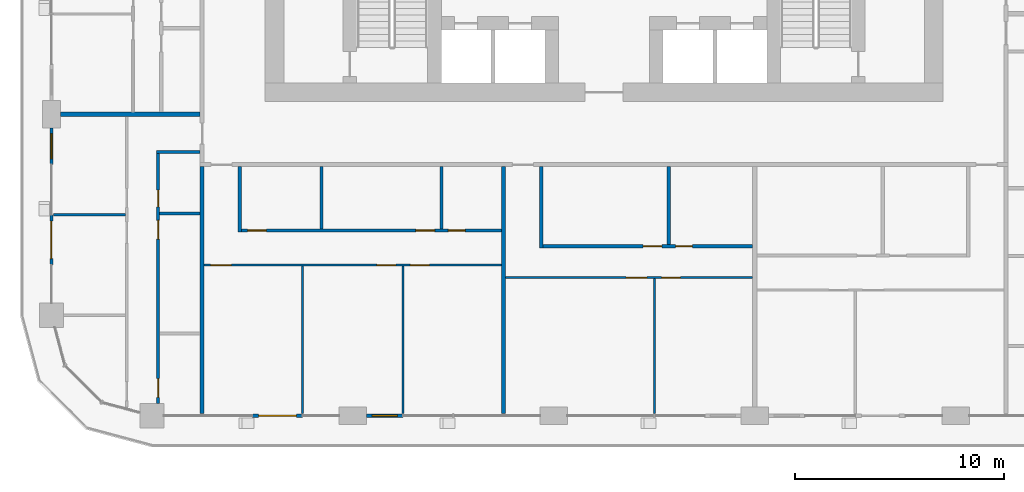
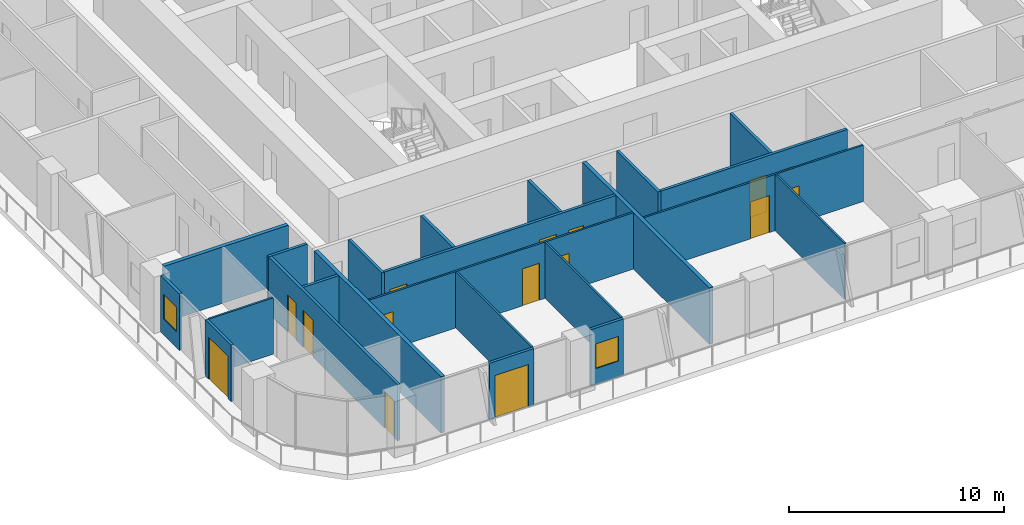
# One storey, part 9 of 22: 23 walls, 15 doors, 2 windows, 17 openings.
"""IFC4 building model written with IfcOpenShell, lengths in metres."""

import ifcopenshell
import ifcopenshell.guid

model = None  # the IFC model being written
_history = None  # IfcOwnerHistory: only IFC2X3 demands one
_inside = {}  # id of a spatial element -> (the spatial element, [elements in it])
_under = {}  # id of a project, library or spatial element -> (it, [spatial elements below it])
_declared = {}  # id of a project -> (the project, [libraries it declares])
_typed = {}  # id of a type object -> (the type object, [elements of that type])
_made_of = {}  # id of a material, layer set ... -> (it, [elements and type objects made of it])


def new_model(schema):
    """Start an empty IFC model of exactly this schema.

    Asked for "IFC4X3", IfcOpenShell would pick the latest addendum, in which some entities
    have other attributes; the version numbers below select the first issue.
    IFC2X3 requires an IfcOwnerHistory on every rooted entity: one is made here for all.
    """
    global model, _history
    if schema == "IFC4X3":
        model = ifcopenshell.file(schema_version=(4, 3, 0, 0))
    else:
        model = ifcopenshell.file(schema=schema)
    _inside.clear()
    _under.clear()
    _declared.clear()
    _typed.clear()
    _made_of.clear()
    _history = None
    if model.schema == "IFC2X3":
        org = make("IfcOrganization", Name="unknown")
        user = make(
            "IfcPersonAndOrganization",
            ThePerson=make("IfcPerson", FamilyName="unknown"),
            TheOrganization=org,
        )
        app = make(
            "IfcApplication",
            ApplicationDeveloper=org,
            Version="unknown",
            ApplicationFullName="unknown",
            ApplicationIdentifier="unknown",
        )
        _history = make(
            "IfcOwnerHistory",
            OwningUser=user,
            OwningApplication=app,
            ChangeAction="ADDED",
            CreationDate=0,
        )
    return model


def make(cls, **values):
    """One entity of the class cls with the attributes given. An attribute that is None is left unset."""
    return model.create_entity(
        cls, **{name: value for name, value in values.items() if value is not None}
    )


def rooted(cls, **values):
    """An entity with a GlobalId (a new one), such as an element, a storey or a relation."""
    return make(cls, GlobalId=ifcopenshell.guid.new(), OwnerHistory=_history, **values)


def si_unit(unit_type, name, prefix=None):
    """IfcSIUnit, for example si_unit("LENGTHUNIT", "METRE", prefix="MILLI")."""
    return make("IfcSIUnit", UnitType=unit_type, Prefix=prefix, Name=name)


def assignment(units):
    """IfcUnitAssignment: the units of a project."""
    return None if units is None else make("IfcUnitAssignment", Units=units)


def point(xyz):
    """IfcCartesianPoint."""
    return None if xyz is None else make("IfcCartesianPoint", Coordinates=xyz)


def direction(xyz):
    """IfcDirection."""
    return None if xyz is None else make("IfcDirection", DirectionRatios=xyz)


def frame(location, z_axis=None, x_axis=None):
    """IfcAxis2Placement3D, a coordinate frame: its origin and axes. An axis left out is left unset."""
    return make(
        "IfcAxis2Placement3D",
        Location=point(location),
        Axis=direction(z_axis),
        RefDirection=direction(x_axis),
    )


def frame_2d(location, x_axis=None):
    """IfcAxis2Placement2D, a coordinate frame in the plane: its origin and x axis."""
    return make(
        "IfcAxis2Placement2D", Location=point(location), RefDirection=direction(x_axis)
    )


def origin():
    """The frame at (0, 0, 0) with its axes left unset."""
    return frame((0.0, 0.0, 0.0))


def place(relative_to, where):
    """IfcLocalPlacement: puts the frame where relative to a parent placement (None: the world)."""
    return make(
        "IfcLocalPlacement", PlacementRelTo=relative_to, RelativePlacement=where
    )


def context(
    kind, dimensions, precision=None, world=None, true_north=None, identifier=None
):
    """IfcGeometricRepresentationContext, for example the 3D "Model" context."""
    return make(
        "IfcGeometricRepresentationContext",
        ContextIdentifier=identifier,
        ContextType=kind,
        CoordinateSpaceDimension=dimensions,
        Precision=precision,
        WorldCoordinateSystem=world,
        TrueNorth=true_north,
    )


def subcontext(parent, identifier, kind, view, scale=None):
    """IfcGeometricRepresentationSubContext, for example "Body" below "Model"."""
    return make(
        "IfcGeometricRepresentationSubContext",
        ContextIdentifier=identifier,
        ContextType=kind,
        ParentContext=parent,
        TargetScale=scale,
        TargetView=view,
    )


def project(units=None, contexts=None):
    """IfcProject with its units and contexts."""
    return rooted(
        "IfcProject",
        Name="project",
        RepresentationContexts=contexts,
        UnitsInContext=assignment(units),
    )


def spatial(cls, under=None, at=None, **own):
    """A site, building, storey or space (cls), placed at a placement, below another one or the project."""
    s = rooted(cls, ObjectPlacement=at, **own)
    if under is not None:
        _under.setdefault(under.id(), (under, []))[1].append(s)
    return s


def profile(cls, at=None, kind="AREA", **sizes):
    """A parametric profile (cls). Its sizes go by their IFC names, for example OverallWidth=200.0."""
    return make(cls, ProfileType=kind, Position=at, **sizes)


def rectangle(**sizes):
    """IfcRectangleProfileDef."""
    return profile("IfcRectangleProfileDef", **sizes)


def extrude(swept, where, along, depth):
    """IfcExtrudedAreaSolid: the profile swept, set in the frame where, extruded along a direction by depth."""
    return make(
        "IfcExtrudedAreaSolid",
        SweptArea=swept,
        Position=where,
        ExtrudedDirection=direction(along),
        Depth=depth,
    )


def shape(context_of_items, identifier, shape_type, items):
    """IfcShapeRepresentation: the items that make up one representation, for example the "Body"."""
    return make(
        "IfcShapeRepresentation",
        ContextOfItems=context_of_items,
        RepresentationIdentifier=identifier,
        RepresentationType=shape_type,
        Items=items,
    )


def material(Name=None, Category=None):
    """IfcMaterial."""
    return make("IfcMaterial", Name=Name, Category=Category)


def layer(
    of_material, thickness, ventilated=None, Name=None, Category=None, Priority=None
):
    """IfcMaterialLayer: one layer of a wall or slab, of a material (None: an air gap)."""
    return make(
        "IfcMaterialLayer",
        Material=of_material,
        LayerThickness=thickness,
        IsVentilated=ventilated,
        Name=Name,
        Category=Category,
        Priority=Priority,
    )


def layer_set(layers, Name=None):
    """IfcMaterialLayerSet."""
    return make("IfcMaterialLayerSet", MaterialLayers=layers, LayerSetName=Name)


def made_of(thing, what):
    """Note that an element or type object is made of a material, layer set ...; save() writes the relation."""
    if what is not None:
        _made_of.setdefault(what.id(), (what, []))[1].append(thing)
    return thing


def type_object(cls, material=None, **own):
    """A type object (cls), such as IfcWallType, which elements share."""
    return made_of(rooted(cls, **own), material)


def element(
    cls,
    number,
    at=None,
    inside=None,
    cuts=None,
    type_object=None,
    material=None,
    context=None,
    identifier="Body",
    shape_type=None,
    held_by="IfcProductDefinitionShape",
    body=None,
    shapes=None,
    **own,
):
    """One element of the class cls, such as IfcWall. Its Tag is "e" and its number.

    at: its placement. inside: the storey or other place that contains it. cuts: it is an
    opening in that element (IfcRelVoidsElement). A single representation is given by context,
    identifier, shape_type and body (its items); several are given by shapes. held_by: the class
    of the entity that holds the representations. save() writes the other relations.
    """
    e = rooted(cls, Tag="e%d" % number, ObjectPlacement=at, **own)
    if body is not None:
        shapes = [shape(context, identifier, shape_type, body)]
    if shapes is not None:
        e.Representation = make(held_by, Representations=shapes)
    if inside is not None:
        _inside.setdefault(inside.id(), (inside, []))[1].append(e)
    if cuts is not None:
        rooted(
            "IfcRelVoidsElement", RelatingBuildingElement=cuts, RelatedOpeningElement=e
        )
    if type_object is not None:
        _typed.setdefault(type_object.id(), (type_object, []))[1].append(e)
    return made_of(e, material)


def fill(opening, filler):
    """IfcRelFillsElement: the door or window that sits in an opening."""
    return rooted(
        "IfcRelFillsElement",
        RelatingOpeningElement=opening,
        RelatedBuildingElement=filler,
    )


def aggregate(whole, parts):
    """IfcRelAggregates: a whole, such as a stair, and the parts it consists of."""
    return rooted("IfcRelAggregates", RelatingObject=whole, RelatedObjects=parts)


def save(model, path):
    """Write the relations noted so far, then the file.

    IfcRelAggregates (storeys below a building ...), IfcRelContainedInSpatialStructure (elements
    in a storey), IfcRelDefinesByType, IfcRelAssociatesMaterial and IfcRelDeclares: one each for
    every whole, place, type object, material and project.
    """
    for whole, parts in _under.values():
        aggregate(whole, parts)
    for where, things in _inside.values():
        rooted(
            "IfcRelContainedInSpatialStructure",
            RelatedElements=things,
            RelatingStructure=where,
        )
    for kind, things in _typed.values():
        rooted("IfcRelDefinesByType", RelatedObjects=things, RelatingType=kind)
    for what, things in _made_of.values():
        rooted("IfcRelAssociatesMaterial", RelatedObjects=things, RelatingMaterial=what)
    for by, libraries in _declared.values():
        rooted("IfcRelDeclares", RelatingContext=by, RelatedDefinitions=libraries)
    model.write(path)


model = new_model("IFC4")

# Units and contexts
model_context = context("Model", 3, precision=1e-05, world=origin(), true_north=direction((0.0, 1.0)))
body_context = subcontext(model_context, "Body", "Model", "MODEL_VIEW")
ifc_project = project(units=[si_unit("LENGTHUNIT", "METRE"), si_unit("AREAUNIT", "SQUARE_METRE"), si_unit("VOLUMEUNIT", "CUBIC_METRE"), si_unit("PLANEANGLEUNIT", "RADIAN"), si_unit("MASSUNIT", "GRAM", prefix="KILO")], contexts=[model_context])

# Site, building, storey
site_placement = place(None, origin())
site = spatial("IfcSite", under=ifc_project, at=site_placement, CompositionType="ELEMENT")
building_placement = place(site_placement, origin())
building = spatial("IfcBuilding", under=site, at=building_placement, Name="Madar Terraces", CompositionType="ELEMENT")
storey_placement = place(building_placement, frame((0.0, 0.0, 69.800048828125)))
storey = spatial("IfcBuildingStorey", under=building, at=storey_placement, Name="L17", CompositionType="ELEMENT", Elevation=69.800048828125)

# Wall, opening, door
ifc_material_1 = material(Name="Aluminium composite panel, black, over insulated backing", Category="aluminium")
ifc_layer_1 = layer(ifc_material_1, 0.14990234375)
ifc_layer_set_1 = layer_set([ifc_layer_1], Name="Facade bay panel 150")
wall_type_1 = type_object("IfcWallType", Name="Facade bay panel 150", PredefinedType="SOLIDWALL", material=ifc_layer_set_1)
wall_1_placement = place(storey_placement, frame((14.39990234375, 0.0, 0.0), z_axis=(0.0, 0.0, 1.0), x_axis=(1.0, 0.0, 0.0)))
wall_1 = element("IfcWall", 1, at=wall_1_placement, inside=storey, type_object=wall_type_1, Name="Facade bay panel", PredefinedType="SOLIDWALL", context=body_context, shape_type="SweptSolid", body=[
    extrude(rectangle(XDim=2.400146484375, YDim=0.14990234375, at=frame_2d((1.2001953125, 0.0))), origin(), (0.0, 0.0, 1.0), 3.199951171875),
])
opening_1_placement = place(wall_1_placement, frame((0.300048828125, 0.0, 0.0)))
opening_1 = element("IfcOpeningElement", 2, at=opening_1_placement, cuts=wall_1, Name="Opening ED1", PredefinedType="OPENING", context=body_context, shape_type="SweptSolid", body=[
    extrude(rectangle(XDim=1.800048828125, YDim=2.39990234375, at=frame_2d((0.89990234375, 1.199951171875))), frame((0.0, 0.0849609375, 0.0), z_axis=(0.0, -1.0, 0.0), x_axis=(1.0, 0.0, 0.0)), (0.0, 0.0, 1.0), 0.169921875),
])
ifc_material_2 = material(Name="Glass, clear, with black aluminium frame", Category="aluminium")
door_type_1 = type_object("IfcDoorType", Name="Balcony and terrace sliding door 1800 x 2400", OperationType="SLIDING_TO_LEFT", PredefinedType="DOOR", material=ifc_material_2)
door_1_placement = place(opening_1_placement, origin())
door_1 = element("IfcDoor", 3, at=door_1_placement, inside=storey, type_object=door_type_1, Name="Balcony door", OperationType="SLIDING_TO_LEFT", OverallHeight=2.39990234375, OverallWidth=1.800048828125, PredefinedType="DOOR", context=body_context, shape_type="SweptSolid", body=[
    extrude(rectangle(XDim=1.800048828125, YDim=2.39990234375, at=frame_2d((0.89990234375, 1.199951171875))), frame((0.0, 0.02490234375, 0.0), z_axis=(0.0, -1.0, 0.0), x_axis=(1.0, 0.0, 0.0)), (0.0, 0.0, 1.0), 0.050048828125),
])
fill(opening_1, door_1)

# Wall, opening, window
wall_2_placement = place(storey_placement, frame((19.85009765625, 0.0, 0.0), z_axis=(0.0, 0.0, 1.0), x_axis=(1.0, 0.0, 0.0)))
wall_2 = element("IfcWall", 4, at=wall_2_placement, inside=storey, type_object=wall_type_1, Name="Facade bay panel", PredefinedType="SOLIDWALL", context=body_context, shape_type="SweptSolid", body=[
    extrude(rectangle(XDim=1.75, YDim=0.14990234375, at=frame_2d((0.875, 0.0))), origin(), (0.0, 0.0, 1.0), 3.199951171875),
])
opening_2_placement = place(wall_2_placement, frame((0.27490234375, 0.0, 0.89990234375)))
opening_2 = element("IfcOpeningElement", 5, at=opening_2_placement, cuts=wall_2, Name="Opening W1", PredefinedType="OPENING", context=body_context, shape_type="SweptSolid", body=[
    extrude(rectangle(XDim=1.199951171875, YDim=1.39990234375, at=frame_2d((0.60009765625, 0.699951171875))), frame((0.0, 0.0849609375, 0.0), z_axis=(0.0, -1.0, 0.0), x_axis=(1.0, 0.0, 0.0)), (0.0, 0.0, 1.0), 0.169921875),
])
ifc_material_3 = material(Name="Glass, clear, with black aluminium frame", Category="aluminium")
window_type = type_object("IfcWindowType", Name="Vent window 1200 x 1400", PartitioningType="SINGLE_PANEL", PredefinedType="WINDOW", material=ifc_material_3)
window_1_placement = place(opening_2_placement, origin())
window_1 = element("IfcWindow", 6, at=window_1_placement, inside=storey, type_object=window_type, Name="Operable vent window", OverallHeight=1.39990234375, OverallWidth=1.199951171875, PartitioningType="SINGLE_PANEL", PredefinedType="WINDOW", context=body_context, shape_type="SweptSolid", body=[
    extrude(rectangle(XDim=1.199951171875, YDim=1.39990234375, at=frame_2d((0.60009765625, 0.699951171875))), frame((0.0, 0.030029296875, 0.0), z_axis=(0.0, -1.0, 0.0), x_axis=(1.0, 0.0, 0.0)), (0.0, 0.0, 1.0), 0.06005859375),
])
fill(opening_2, window_1)

wall_3_placement = place(storey_placement, frame((4.800048828125, 13.75, 0.0), z_axis=(0.0, 0.0, 1.0), x_axis=(0.0, -1.0, 0.0)))
wall_3 = element("IfcWall", 7, at=wall_3_placement, inside=storey, type_object=wall_type_1, Name="Facade bay panel", PredefinedType="SOLIDWALL", context=body_context, shape_type="SweptSolid", body=[
    extrude(rectangle(XDim=1.75, YDim=0.14990234375, at=frame_2d((0.875, 0.0))), origin(), (0.0, 0.0, 1.0), 3.199951171875),
])
opening_3_placement = place(wall_3_placement, frame((0.27490234375, 0.0, 0.89990234375)))
opening_3 = element("IfcOpeningElement", 8, at=opening_3_placement, cuts=wall_3, Name="Opening W1", PredefinedType="OPENING", context=body_context, shape_type="SweptSolid", body=[
    extrude(rectangle(XDim=1.199951171875, YDim=1.39990234375, at=frame_2d((0.60009765625, 0.699951171875))), frame((0.0, 0.0849609375, 0.0), z_axis=(0.0, -1.0, 0.0), x_axis=(1.0, 0.0, 0.0)), (0.0, 0.0, 1.0), 0.169921875),
])
window_2_placement = place(opening_3_placement, origin())
window_2 = element("IfcWindow", 9, at=window_2_placement, inside=storey, type_object=window_type, Name="Operable vent window", OverallHeight=1.39990234375, OverallWidth=1.199951171875, PartitioningType="SINGLE_PANEL", PredefinedType="WINDOW", context=body_context, shape_type="SweptSolid", body=[
    extrude(rectangle(XDim=1.199951171875, YDim=1.39990234375, at=frame_2d((0.60009765625, 0.699951171875))), frame((0.0, 0.030029296875, 0.0), z_axis=(0.0, -1.0, 0.0), x_axis=(1.0, 0.0, 0.0)), (0.0, 0.0, 1.0), 0.06005859375),
])
fill(opening_3, window_2)

# Wall, opening, door
wall_4_placement = place(storey_placement, frame((4.800048828125, 9.60009765625, 0.0), z_axis=(0.0, 0.0, 1.0), x_axis=(0.0, -1.0, 0.0)))
wall_4 = element("IfcWall", 10, at=wall_4_placement, inside=storey, type_object=wall_type_1, Name="Facade bay panel", PredefinedType="SOLIDWALL", context=body_context, shape_type="SweptSolid", body=[
    extrude(rectangle(XDim=2.400146484375, YDim=0.14990234375, at=frame_2d((1.2001953125, 0.0))), origin(), (0.0, 0.0, 1.0), 3.199951171875),
])
opening_4_placement = place(wall_4_placement, frame((0.300048828125, 0.0, 0.0)))
opening_4 = element("IfcOpeningElement", 11, at=opening_4_placement, cuts=wall_4, Name="Opening ED1", PredefinedType="OPENING", context=body_context, shape_type="SweptSolid", body=[
    extrude(rectangle(XDim=1.800048828125, YDim=2.39990234375, at=frame_2d((0.89990234375, 1.199951171875))), frame((0.0, 0.0849609375, 0.0), z_axis=(0.0, -1.0, 0.0), x_axis=(1.0, 0.0, 0.0)), (0.0, 0.0, 1.0), 0.169921875),
])
door_2_placement = place(opening_4_placement, origin())
door_2 = element("IfcDoor", 12, at=door_2_placement, inside=storey, type_object=door_type_1, Name="Balcony door", OperationType="SLIDING_TO_LEFT", OverallHeight=2.39990234375, OverallWidth=1.800048828125, PredefinedType="DOOR", context=body_context, shape_type="SweptSolid", body=[
    extrude(rectangle(XDim=1.800048828125, YDim=2.39990234375, at=frame_2d((0.89990234375, 1.199951171875))), frame((0.0, 0.02490234375, 0.0), z_axis=(0.0, -1.0, 0.0), x_axis=(1.0, 0.0, 0.0)), (0.0, 0.0, 1.0), 0.050048828125),
])
fill(opening_4, door_2)

# Walls
ifc_material_4 = material(Name="Gypsum board on steel studs", Category="steel")
ifc_layer_2 = layer(ifc_material_4, 0.10009765625)
ifc_layer_set_2 = layer_set([ifc_layer_2], Name="Flat partition 100")
wall_type_2 = type_object("IfcWallType", Name="Flat partition 100", PredefinedType="PARTITIONING", material=ifc_layer_set_2)
for number, where, z_axis, x_axis, name in (
    (13, (16.800048828125, 7.14990234375, 0.0), (0.0, 0.0, 1.0), (0.0, -1.0, 0.0), "Flat partition 100"),
    (14, (21.60009765625, 7.14990234375, 0.0), (0.0, 0.0, 1.0), (0.0, -1.0, 0.0), "Flat partition 100"),
):
    element("IfcWall", number, at=place(storey_placement, frame(where, z_axis=z_axis, x_axis=x_axis)), inside=storey, type_object=wall_type_2, Name=name, PredefinedType="PARTITIONING", context=body_context, shape_type="SweptSolid", body=[
        extrude(rectangle(XDim=7.0498046875, YDim=0.10009765625, at=frame_2d((3.52490234375, 0.0))), origin(), (0.0, 0.0, 1.0), 3.199951171875),
    ])

# Wall, openings, doors
wall_5_placement = place(storey_placement, frame((26.300048828125, 7.199951171875, 0.0), z_axis=(0.0, 0.0, 1.0), x_axis=(-1.0, 0.0, 0.0)))
wall_5 = element("IfcWall", 15, at=wall_5_placement, inside=storey, type_object=wall_type_2, Name="Flat partition 100", PredefinedType="PARTITIONING", context=body_context, shape_type="SweptSolid", body=[
    extrude(rectangle(XDim=14.199951171875, YDim=0.10009765625, at=frame_2d((7.10009765625, 0.0))), origin(), (0.0, 0.0, 1.0), 3.199951171875),
])
opening_5_placement = place(wall_5_placement, frame((12.89990234375, 0.0, 0.0)))
opening_5 = element("IfcOpeningElement", 16, at=opening_5_placement, cuts=wall_5, Name="Opening D3", PredefinedType="OPENING", context=body_context, shape_type="SweptSolid", body=[
    extrude(rectangle(XDim=1.0, YDim=2.10009765625, at=frame_2d((0.5, 1.050048828125))), frame((0.0, 0.06005859375, 0.0), z_axis=(0.0, -1.0, 0.0), x_axis=(1.0, 0.0, 0.0)), (0.0, 0.0, 1.0), 0.1201171875),
])
opening_6_placement = place(wall_5_placement, frame((5.050048828125, 0.0, 0.0)))
opening_6 = element("IfcOpeningElement", 17, at=opening_6_placement, cuts=wall_5, Name="Opening D2", PredefinedType="OPENING", context=body_context, shape_type="SweptSolid", body=[
    extrude(rectangle(XDim=0.89990234375, YDim=2.10009765625, at=frame_2d((0.449951171875, 1.050048828125))), frame((0.0, 0.06005859375, 0.0), z_axis=(0.0, -1.0, 0.0), x_axis=(1.0, 0.0, 0.0)), (0.0, 0.0, 1.0), 0.1201171875),
])
opening_7_placement = place(wall_5_placement, frame((3.449951171875, 0.0, 0.0)))
opening_7 = element("IfcOpeningElement", 18, at=opening_7_placement, cuts=wall_5, Name="Opening D2", PredefinedType="OPENING", context=body_context, shape_type="SweptSolid", body=[
    extrude(rectangle(XDim=0.89990234375, YDim=2.10009765625, at=frame_2d((0.449951171875, 1.050048828125))), frame((0.0, 0.06005859375, 0.0), z_axis=(0.0, -1.0, 0.0), x_axis=(1.0, 0.0, 0.0)), (0.0, 0.0, 1.0), 0.1201171875),
])
ifc_material_5 = material(Name="Timber door leaf", Category="wood")
door_type_2 = type_object("IfcDoorType", Name="Flat living room door 1000", OperationType="NOTDEFINED", PredefinedType="DOOR", material=ifc_material_5)
door_3_placement = place(opening_5_placement, origin())
door_3 = element("IfcDoor", 19, at=door_3_placement, inside=storey, type_object=door_type_2, Name="Flat living room door 1000", OperationType="SINGLE_SWING_RIGHT", OverallHeight=2.10009765625, OverallWidth=1.0, PredefinedType="DOOR", context=body_context, shape_type="SweptSolid", body=[
    extrude(rectangle(XDim=1.0, YDim=2.10009765625, at=frame_2d((0.5, 1.050048828125))), frame((0.0, 0.02490234375, 0.0), z_axis=(0.0, -1.0, 0.0), x_axis=(1.0, 0.0, 0.0)), (0.0, 0.0, 1.0), 0.050048828125),
])
fill(opening_5, door_3)
ifc_material_6 = material(Name="Timber door leaf", Category="wood")
door_type_3 = type_object("IfcDoorType", Name="Flat room door 900", OperationType="NOTDEFINED", PredefinedType="DOOR", material=ifc_material_6)
door_4_placement = place(opening_6_placement, origin())
door_4 = element("IfcDoor", 20, at=door_4_placement, inside=storey, type_object=door_type_3, Name="Flat room door 900", OperationType="SINGLE_SWING_LEFT", OverallHeight=2.10009765625, OverallWidth=0.89990234375, PredefinedType="DOOR", context=body_context, shape_type="SweptSolid", body=[
    extrude(rectangle(XDim=0.89990234375, YDim=2.10009765625, at=frame_2d((0.449951171875, 1.050048828125))), frame((0.0, 0.02490234375, 0.0), z_axis=(0.0, -1.0, 0.0), x_axis=(1.0, 0.0, 0.0)), (0.0, 0.0, 1.0), 0.050048828125),
])
fill(opening_6, door_4)
door_5_placement = place(opening_7_placement, origin())
door_5 = element("IfcDoor", 21, at=door_5_placement, inside=storey, type_object=door_type_3, Name="Flat room door 900", OperationType="SINGLE_SWING_RIGHT", OverallHeight=2.10009765625, OverallWidth=0.89990234375, PredefinedType="DOOR", context=body_context, shape_type="SweptSolid", body=[
    extrude(rectangle(XDim=0.89990234375, YDim=2.10009765625, at=frame_2d((0.449951171875, 1.050048828125))), frame((0.0, 0.02490234375, 0.0), z_axis=(0.0, -1.0, 0.0), x_axis=(1.0, 0.0, 0.0)), (0.0, 0.0, 1.0), 0.050048828125),
])
fill(opening_7, door_5)

# Wall
wall_6_placement = place(storey_placement, frame((33.60009765625, 6.550048828125, 0.0), z_axis=(0.0, 0.0, 1.0), x_axis=(0.0, -1.0, 0.0)))
element("IfcWall", 22, at=wall_6_placement, inside=storey, type_object=wall_type_2, Name="Flat partition 100", PredefinedType="PARTITIONING", context=body_context, shape_type="SweptSolid", body=[
    extrude(rectangle(XDim=6.449951171875, YDim=0.10009765625, at=frame_2d((3.22509765625, 0.0))), origin(), (0.0, 0.0, 1.0), 3.199951171875),
])

# Wall, openings, doors
wall_7_placement = place(storey_placement, frame((38.300048828125, 6.60009765625, 0.0), z_axis=(0.0, 0.0, 1.0), x_axis=(-1.0, 0.0, 0.0)))
wall_7 = element("IfcWall", 23, at=wall_7_placement, inside=storey, type_object=wall_type_2, Name="Flat partition 100", PredefinedType="PARTITIONING", context=body_context, shape_type="SweptSolid", body=[
    extrude(rectangle(XDim=11.800048828125, YDim=0.10009765625, at=frame_2d((5.89990234375, 0.0))), origin(), (0.0, 0.0, 1.0), 3.199951171875),
])
opening_8_placement = place(wall_7_placement, frame((5.050048828125, 0.0, 0.0)))
opening_8 = element("IfcOpeningElement", 24, at=opening_8_placement, cuts=wall_7, Name="Opening D3", PredefinedType="OPENING", context=body_context, shape_type="SweptSolid", body=[
    extrude(rectangle(XDim=1.0, YDim=2.10009765625, at=frame_2d((0.5, 1.050048828125))), frame((0.0, 0.06005859375, 0.0), z_axis=(0.0, -1.0, 0.0), x_axis=(1.0, 0.0, 0.0)), (0.0, 0.0, 1.0), 0.1201171875),
])
opening_9_placement = place(wall_7_placement, frame((3.449951171875, 0.0, 0.0)))
opening_9 = element("IfcOpeningElement", 25, at=opening_9_placement, cuts=wall_7, Name="Opening D2", PredefinedType="OPENING", context=body_context, shape_type="SweptSolid", body=[
    extrude(rectangle(XDim=0.89990234375, YDim=2.10009765625, at=frame_2d((0.449951171875, 1.050048828125))), frame((0.0, 0.06005859375, 0.0), z_axis=(0.0, -1.0, 0.0), x_axis=(1.0, 0.0, 0.0)), (0.0, 0.0, 1.0), 0.1201171875),
])
door_6_placement = place(opening_8_placement, origin())
door_6 = element("IfcDoor", 26, at=door_6_placement, inside=storey, type_object=door_type_2, Name="Flat living room door 1000", OperationType="SINGLE_SWING_LEFT", OverallHeight=2.10009765625, OverallWidth=1.0, PredefinedType="DOOR", context=body_context, shape_type="SweptSolid", body=[
    extrude(rectangle(XDim=1.0, YDim=2.10009765625, at=frame_2d((0.5, 1.050048828125))), frame((0.0, 0.02490234375, 0.0), z_axis=(0.0, -1.0, 0.0), x_axis=(1.0, 0.0, 0.0)), (0.0, 0.0, 1.0), 0.050048828125),
])
fill(opening_8, door_6)
door_7_placement = place(opening_9_placement, origin())
door_7 = element("IfcDoor", 27, at=door_7_placement, inside=storey, type_object=door_type_3, Name="Flat room door 900", OperationType="SINGLE_SWING_RIGHT", OverallHeight=2.10009765625, OverallWidth=0.89990234375, PredefinedType="DOOR", context=body_context, shape_type="SweptSolid", body=[
    extrude(rectangle(XDim=0.89990234375, YDim=2.10009765625, at=frame_2d((0.449951171875, 1.050048828125))), frame((0.0, 0.02490234375, 0.0), z_axis=(0.0, -1.0, 0.0), x_axis=(1.0, 0.0, 0.0)), (0.0, 0.0, 1.0), 0.050048828125),
])
fill(opening_9, door_7)

# Walls
wall_8_placement = place(storey_placement, frame((8.35009765625, 9.60009765625, 0.0), z_axis=(0.0, 0.0, 1.0), x_axis=(-1.0, 0.0, 0.0)))
element("IfcWall", 28, at=wall_8_placement, inside=storey, type_object=wall_type_2, Name="Flat partition 100", PredefinedType="PARTITIONING", context=body_context, shape_type="SweptSolid", body=[
    extrude(rectangle(XDim=3.4501953125, YDim=0.10009765625, at=frame_2d((1.72509765625, 0.0))), origin(), (0.0, 0.0, 1.0), 3.199951171875),
])
ifc_material_7 = material(Name="Lightweight blockwork", Category="masonry")
ifc_layer_3 = layer(ifc_material_7, 0.199951171875)
ifc_layer_set_3 = layer_set([ifc_layer_3], Name="Flat party and entrance wall 200")
wall_type_3 = type_object("IfcWallType", Name="Flat party and entrance wall 200", PredefinedType="PARTITIONING", material=ifc_layer_set_3)
for number, where, z_axis, x_axis, name in (
    (29, (26.39990234375, 11.89990234375, 0.0), (0.0, 0.0, 1.0), (0.0, -1.0, 0.0), "Flat party and entrance wall 200"),
    (30, (12.0, 0.10009765625, 0.0), (0.0, 0.0, 1.0), (0.0, 1.0, 0.0), "Flat party and entrance wall 200"),
):
    element("IfcWall", number, at=place(storey_placement, frame(where, z_axis=z_axis, x_axis=x_axis)), inside=storey, type_object=wall_type_3, Name=name, PredefinedType="PARTITIONING", context=body_context, shape_type="SweptSolid", body=[
        extrude(rectangle(XDim=11.7998046875, YDim=0.199951171875, at=frame_2d((5.89990234375, 0.0))), origin(), (0.0, 0.0, 1.0), 3.199951171875),
    ])
wall_9_placement = place(storey_placement, frame((5.22509765625, 14.39990234375, 0.0), z_axis=(0.0, 0.0, 1.0), x_axis=(1.0, 0.0, 0.0)))
element("IfcWall", 31, at=wall_9_placement, inside=storey, type_object=wall_type_3, Name="Flat party and entrance wall 200", PredefinedType="PARTITIONING", context=body_context, shape_type="SweptSolid", body=[
    extrude(rectangle(XDim=6.6748046875, YDim=0.199951171875, at=frame_2d((3.33740234375, 0.0))), origin(), (0.0, 0.0, 1.0), 3.199951171875),
])
ifc_material_8 = material(Name="Lightweight blockwork", Category="masonry")
ifc_layer_4 = layer(ifc_material_8, 0.14990234375)
ifc_layer_set_4 = layer_set([ifc_layer_4], Name="Flat wet-room partition 150")
wall_type_4 = type_object("IfcWallType", Name="Flat wet-room partition 150", PredefinedType="PARTITIONING", material=ifc_layer_set_4)
for number, where, z_axis, x_axis, name in (
    (32, (17.697998046875, 11.89990234375, 0.0), (0.0, 0.0, 1.0), (0.0, -1.0, 0.0), "Flat wet-room partition 150"),
    (33, (23.4326171875, 11.89990234375, 0.0), (0.0, 0.0, 1.0), (0.0, -1.0, 0.0), "Flat wet-room partition 150"),
):
    element("IfcWall", number, at=place(storey_placement, frame(where, z_axis=z_axis, x_axis=x_axis)), inside=storey, type_object=wall_type_4, Name=name, PredefinedType="PARTITIONING", context=body_context, shape_type="SweptSolid", body=[
        extrude(rectangle(XDim=2.974853515625, YDim=0.14990234375, at=frame_2d((1.4873046875, 0.0))), origin(), (0.0, 0.0, 1.0), 3.199951171875),
    ])
wall_10_placement = place(storey_placement, frame((13.800048828125, 11.89990234375, 0.0), z_axis=(0.0, 0.0, 1.0), x_axis=(0.0, -1.0, 0.0)))
element("IfcWall", 34, at=wall_10_placement, inside=storey, type_object=wall_type_4, Name="Flat wet-room partition 150", PredefinedType="PARTITIONING", context=body_context, shape_type="SweptSolid", body=[
    extrude(rectangle(XDim=3.125, YDim=0.14990234375, at=frame_2d((1.5625, 0.0))), origin(), (0.0, 0.0, 1.0), 3.199951171875),
])

# Wall, openings, doors
wall_11_placement = place(storey_placement, frame((13.875, 8.85009765625, 0.0), z_axis=(0.0, 0.0, 1.0), x_axis=(1.0, 0.0, 0.0)))
wall_11 = element("IfcWall", 35, at=wall_11_placement, inside=storey, type_object=wall_type_4, Name="Flat wet-room partition 150", PredefinedType="PARTITIONING", context=body_context, shape_type="SweptSolid", body=[
    extrude(rectangle(XDim=12.425048828125, YDim=0.14990234375, at=frame_2d((6.21240234375, 0.0))), origin(), (0.0, 0.0, 1.0), 3.199951171875),
])
opening_10_placement = place(wall_11_placement, frame((0.300048828125, 0.0, 0.0)))
opening_10 = element("IfcOpeningElement", 36, at=opening_10_placement, cuts=wall_11, Name="Opening D5", PredefinedType="OPENING", context=body_context, shape_type="SweptSolid", body=[
    extrude(rectangle(XDim=0.89990234375, YDim=2.10009765625, at=frame_2d((0.449951171875, 1.050048828125))), frame((0.0, 0.0849609375, 0.0), z_axis=(0.0, -1.0, 0.0), x_axis=(1.0, 0.0, 0.0)), (0.0, 0.0, 1.0), 0.169921875),
])
opening_11_placement = place(wall_11_placement, frame((8.332763671875, 0.0, 0.0)))
opening_11 = element("IfcOpeningElement", 37, at=opening_11_placement, cuts=wall_11, Name="Opening D2", PredefinedType="OPENING", context=body_context, shape_type="SweptSolid", body=[
    extrude(rectangle(XDim=0.89990234375, YDim=2.10009765625, at=frame_2d((0.449951171875, 1.050048828125))), frame((0.0, 0.0849609375, 0.0), z_axis=(0.0, -1.0, 0.0), x_axis=(1.0, 0.0, 0.0)), (0.0, 0.0, 1.0), 0.169921875),
])
opening_12_placement = place(wall_11_placement, frame((9.8828125, 0.0, 0.0)))
opening_12 = element("IfcOpeningElement", 38, at=opening_12_placement, cuts=wall_11, Name="Opening D4", PredefinedType="OPENING", context=body_context, shape_type="SweptSolid", body=[
    extrude(rectangle(XDim=0.800048828125, YDim=2.10009765625, at=frame_2d((0.39990234375, 1.050048828125))), frame((0.0, 0.0849609375, 0.0), z_axis=(0.0, -1.0, 0.0), x_axis=(1.0, 0.0, 0.0)), (0.0, 0.0, 1.0), 0.169921875),
])
ifc_material_9 = material(Name="Timber door leaf", Category="wood")
door_type_4 = type_object("IfcDoorType", Name="Flat accessible bathroom door 900", OperationType="NOTDEFINED", PredefinedType="DOOR", material=ifc_material_9)
door_8_placement = place(opening_10_placement, origin())
door_8 = element("IfcDoor", 39, at=door_8_placement, inside=storey, type_object=door_type_4, Name="Flat accessible bathroom door 900", OperationType="SINGLE_SWING_LEFT", OverallHeight=2.10009765625, OverallWidth=0.89990234375, PredefinedType="DOOR", context=body_context, shape_type="SweptSolid", body=[
    extrude(rectangle(XDim=0.89990234375, YDim=2.10009765625, at=frame_2d((0.449951171875, 1.050048828125))), frame((0.0, 0.02490234375, 0.0), z_axis=(0.0, -1.0, 0.0), x_axis=(1.0, 0.0, 0.0)), (0.0, 0.0, 1.0), 0.050048828125),
])
fill(opening_10, door_8)
ifc_material_10 = material(Name="Timber door leaf", Category="wood")
door_type_5 = type_object("IfcDoorType", Name="Flat bathroom door 800", OperationType="NOTDEFINED", PredefinedType="DOOR", material=ifc_material_10)
door_9_placement = place(opening_12_placement, origin())
door_9 = element("IfcDoor", 40, at=door_9_placement, inside=storey, type_object=door_type_5, Name="Flat bathroom door 800", OperationType="SINGLE_SWING_LEFT", OverallHeight=2.10009765625, OverallWidth=0.800048828125, PredefinedType="DOOR", context=body_context, shape_type="SweptSolid", body=[
    extrude(rectangle(XDim=0.800048828125, YDim=2.10009765625, at=frame_2d((0.39990234375, 1.050048828125))), frame((0.0, 0.02490234375, 0.0), z_axis=(0.0, -1.0, 0.0), x_axis=(1.0, 0.0, 0.0)), (0.0, 0.0, 1.0), 0.050048828125),
])
fill(opening_12, door_9)
door_10_placement = place(opening_11_placement, origin())
door_10 = element("IfcDoor", 41, at=door_10_placement, inside=storey, type_object=door_type_3, Name="Flat room door 900", OperationType="SINGLE_SWING_RIGHT", OverallHeight=2.10009765625, OverallWidth=0.89990234375, PredefinedType="DOOR", context=body_context, shape_type="SweptSolid", body=[
    extrude(rectangle(XDim=0.89990234375, YDim=2.10009765625, at=frame_2d((0.449951171875, 1.050048828125))), frame((0.0, 0.02490234375, 0.0), z_axis=(0.0, -1.0, 0.0), x_axis=(1.0, 0.0, 0.0)), (0.0, 0.0, 1.0), 0.050048828125),
])
fill(opening_11, door_10)

# Walls
wall_12_placement = place(storey_placement, frame((34.2900390625, 11.89990234375, 0.0), z_axis=(0.0, 0.0, 1.0), x_axis=(0.0, -1.0, 0.0)))
element("IfcWall", 42, at=wall_12_placement, inside=storey, type_object=wall_type_4, Name="Flat wet-room partition 150", PredefinedType="PARTITIONING", context=body_context, shape_type="SweptSolid", body=[
    extrude(rectangle(XDim=3.724853515625, YDim=0.14990234375, at=frame_2d((1.8623046875, 0.0))), origin(), (0.0, 0.0, 1.0), 3.199951171875),
])
wall_13_placement = place(storey_placement, frame((28.199951171875, 11.89990234375, 0.0), z_axis=(0.0, 0.0, 1.0), x_axis=(0.0, -1.0, 0.0)))
element("IfcWall", 43, at=wall_13_placement, inside=storey, type_object=wall_type_4, Name="Flat wet-room partition 150", PredefinedType="PARTITIONING", context=body_context, shape_type="SweptSolid", body=[
    extrude(rectangle(XDim=3.875, YDim=0.14990234375, at=frame_2d((1.9375, 0.0))), origin(), (0.0, 0.0, 1.0), 3.199951171875),
])

# Wall, openings, doors
wall_14_placement = place(storey_placement, frame((28.27490234375, 8.10009765625, 0.0), z_axis=(0.0, 0.0, 1.0), x_axis=(1.0, 0.0, 0.0)))
wall_14 = element("IfcWall", 44, at=wall_14_placement, inside=storey, type_object=wall_type_4, Name="Flat wet-room partition 150", PredefinedType="PARTITIONING", context=body_context, shape_type="SweptSolid", body=[
    extrude(rectangle(XDim=10.025146484375, YDim=0.14990234375, at=frame_2d((5.0126953125, 0.0))), origin(), (0.0, 0.0, 1.0), 3.199951171875),
])
opening_13_placement = place(wall_14_placement, frame((4.7900390625, 0.0, 0.0)))
opening_13 = element("IfcOpeningElement", 45, at=opening_13_placement, cuts=wall_14, Name="Opening D2", PredefinedType="OPENING", context=body_context, shape_type="SweptSolid", body=[
    extrude(rectangle(XDim=0.89990234375, YDim=2.10009765625, at=frame_2d((0.449951171875, 1.050048828125))), frame((0.0, 0.0849609375, 0.0), z_axis=(0.0, -1.0, 0.0), x_axis=(1.0, 0.0, 0.0)), (0.0, 0.0, 1.0), 0.169921875),
])
opening_14_placement = place(wall_14_placement, frame((6.340087890625, 0.0, 0.0)))
opening_14 = element("IfcOpeningElement", 46, at=opening_14_placement, cuts=wall_14, Name="Opening D4", PredefinedType="OPENING", context=body_context, shape_type="SweptSolid", body=[
    extrude(rectangle(XDim=0.800048828125, YDim=2.10009765625, at=frame_2d((0.39990234375, 1.050048828125))), frame((0.0, 0.0849609375, 0.0), z_axis=(0.0, -1.0, 0.0), x_axis=(1.0, 0.0, 0.0)), (0.0, 0.0, 1.0), 0.169921875),
])
door_11_placement = place(opening_14_placement, origin())
door_11 = element("IfcDoor", 47, at=door_11_placement, inside=storey, type_object=door_type_5, Name="Flat bathroom door 800", OperationType="SINGLE_SWING_LEFT", OverallHeight=2.10009765625, OverallWidth=0.800048828125, PredefinedType="DOOR", context=body_context, shape_type="SweptSolid", body=[
    extrude(rectangle(XDim=0.800048828125, YDim=2.10009765625, at=frame_2d((0.39990234375, 1.050048828125))), frame((0.0, 0.02490234375, 0.0), z_axis=(0.0, -1.0, 0.0), x_axis=(1.0, 0.0, 0.0)), (0.0, 0.0, 1.0), 0.050048828125),
])
fill(opening_14, door_11)
door_12_placement = place(opening_13_placement, origin())
door_12 = element("IfcDoor", 48, at=door_12_placement, inside=storey, type_object=door_type_3, Name="Flat room door 900", OperationType="SINGLE_SWING_RIGHT", OverallHeight=2.10009765625, OverallWidth=0.89990234375, PredefinedType="DOOR", context=body_context, shape_type="SweptSolid", body=[
    extrude(rectangle(XDim=0.89990234375, YDim=2.10009765625, at=frame_2d((0.449951171875, 1.050048828125))), frame((0.0, 0.02490234375, 0.0), z_axis=(0.0, -1.0, 0.0), x_axis=(1.0, 0.0, 0.0)), (0.0, 0.0, 1.0), 0.050048828125),
])
fill(opening_13, door_12)

# Walls
wall_15_placement = place(storey_placement, frame((11.89990234375, 9.65771484375, 0.0), z_axis=(0.0, 0.0, 1.0), x_axis=(-1.0, 0.0, 0.0)))
element("IfcWall", 49, at=wall_15_placement, inside=storey, type_object=wall_type_4, Name="Flat wet-room partition 150", PredefinedType="PARTITIONING", context=body_context, shape_type="SweptSolid", body=[
    extrude(rectangle(XDim=1.9248046875, YDim=0.14990234375, at=frame_2d((0.96240234375, 0.0))), origin(), (0.0, 0.0, 1.0), 3.199951171875),
])
wall_16_placement = place(storey_placement, frame((11.89990234375, 12.60009765625, 0.0), z_axis=(0.0, 0.0, 1.0), x_axis=(-1.0, 0.0, 0.0)))
element("IfcWall", 50, at=wall_16_placement, inside=storey, type_object=wall_type_4, Name="Flat wet-room partition 150", PredefinedType="PARTITIONING", context=body_context, shape_type="SweptSolid", body=[
    extrude(rectangle(XDim=2.074951171875, YDim=0.14990234375, at=frame_2d((1.03759765625, 0.0))), origin(), (0.0, 0.0, 1.0), 3.199951171875),
])

# Wall, openings, doors
wall_17_placement = place(storey_placement, frame((9.89990234375, 12.52490234375, 0.0), z_axis=(0.0, 0.0, 1.0), x_axis=(0.0, -1.0, 0.0)))
wall_17 = element("IfcWall", 51, at=wall_17_placement, inside=storey, type_object=wall_type_4, Name="Flat wet-room partition 150", PredefinedType="PARTITIONING", context=body_context, shape_type="SweptSolid", body=[
    extrude(rectangle(XDim=11.949951171875, YDim=0.14990234375, at=frame_2d((5.97509765625, 0.0))), origin(), (0.0, 0.0, 1.0), 3.199951171875),
])
opening_15_placement = place(wall_17_placement, frame((1.7421875, 0.0, 0.0)))
opening_15 = element("IfcOpeningElement", 52, at=opening_15_placement, cuts=wall_17, Name="Opening D4", PredefinedType="OPENING", context=body_context, shape_type="SweptSolid", body=[
    extrude(rectangle(XDim=0.800048828125, YDim=2.10009765625, at=frame_2d((0.39990234375, 1.050048828125))), frame((0.0, 0.0849609375, 0.0), z_axis=(0.0, -1.0, 0.0), x_axis=(1.0, 0.0, 0.0)), (0.0, 0.0, 1.0), 0.169921875),
])
opening_16_placement = place(wall_17_placement, frame((3.1923828125, 0.0, 0.0)))
opening_16 = element("IfcOpeningElement", 53, at=opening_16_placement, cuts=wall_17, Name="Opening D2", PredefinedType="OPENING", context=body_context, shape_type="SweptSolid", body=[
    extrude(rectangle(XDim=0.89990234375, YDim=2.10009765625, at=frame_2d((0.449951171875, 1.050048828125))), frame((0.0, 0.0849609375, 0.0), z_axis=(0.0, -1.0, 0.0), x_axis=(1.0, 0.0, 0.0)), (0.0, 0.0, 1.0), 0.169921875),
])
opening_17_placement = place(wall_17_placement, frame((10.75, 0.0, 0.0)))
opening_17 = element("IfcOpeningElement", 54, at=opening_17_placement, cuts=wall_17, Name="Opening D5", PredefinedType="OPENING", context=body_context, shape_type="SweptSolid", body=[
    extrude(rectangle(XDim=0.89990234375, YDim=2.10009765625, at=frame_2d((0.449951171875, 1.050048828125))), frame((0.0, 0.0849609375, 0.0), z_axis=(0.0, -1.0, 0.0), x_axis=(1.0, 0.0, 0.0)), (0.0, 0.0, 1.0), 0.169921875),
])
door_13_placement = place(opening_17_placement, origin())
door_13 = element("IfcDoor", 55, at=door_13_placement, inside=storey, type_object=door_type_4, Name="Flat accessible bathroom door 900", OperationType="SINGLE_SWING_RIGHT", OverallHeight=2.10009765625, OverallWidth=0.89990234375, PredefinedType="DOOR", context=body_context, shape_type="SweptSolid", body=[
    extrude(rectangle(XDim=0.89990234375, YDim=2.10009765625, at=frame_2d((0.449951171875, 1.050048828125))), frame((0.0, 0.02490234375, 0.0), z_axis=(0.0, -1.0, 0.0), x_axis=(1.0, 0.0, 0.0)), (0.0, 0.0, 1.0), 0.050048828125),
])
fill(opening_17, door_13)
door_14_placement = place(opening_15_placement, origin())
door_14 = element("IfcDoor", 56, at=door_14_placement, inside=storey, type_object=door_type_5, Name="Flat bathroom door 800", OperationType="SINGLE_SWING_RIGHT", OverallHeight=2.10009765625, OverallWidth=0.800048828125, PredefinedType="DOOR", context=body_context, shape_type="SweptSolid", body=[
    extrude(rectangle(XDim=0.800048828125, YDim=2.10009765625, at=frame_2d((0.39990234375, 1.050048828125))), frame((0.0, 0.02490234375, 0.0), z_axis=(0.0, -1.0, 0.0), x_axis=(1.0, 0.0, 0.0)), (0.0, 0.0, 1.0), 0.050048828125),
])
fill(opening_15, door_14)
door_15_placement = place(opening_16_placement, origin())
door_15 = element("IfcDoor", 57, at=door_15_placement, inside=storey, type_object=door_type_3, Name="Flat room door 900", OperationType="SINGLE_SWING_LEFT", OverallHeight=2.10009765625, OverallWidth=0.89990234375, PredefinedType="DOOR", context=body_context, shape_type="SweptSolid", body=[
    extrude(rectangle(XDim=0.89990234375, YDim=2.10009765625, at=frame_2d((0.449951171875, 1.050048828125))), frame((0.0, 0.02490234375, 0.0), z_axis=(0.0, -1.0, 0.0), x_axis=(1.0, 0.0, 0.0)), (0.0, 0.0, 1.0), 0.050048828125),
])
fill(opening_16, door_15)

save(model, "model.ifc")
